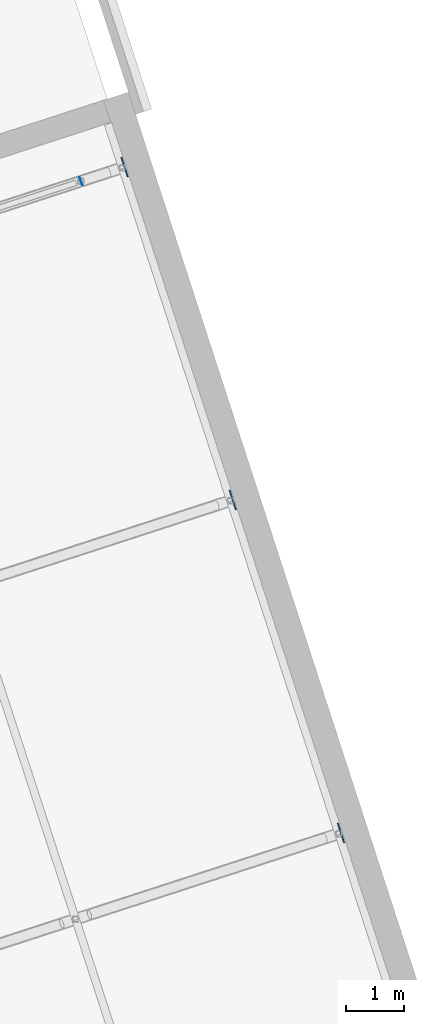
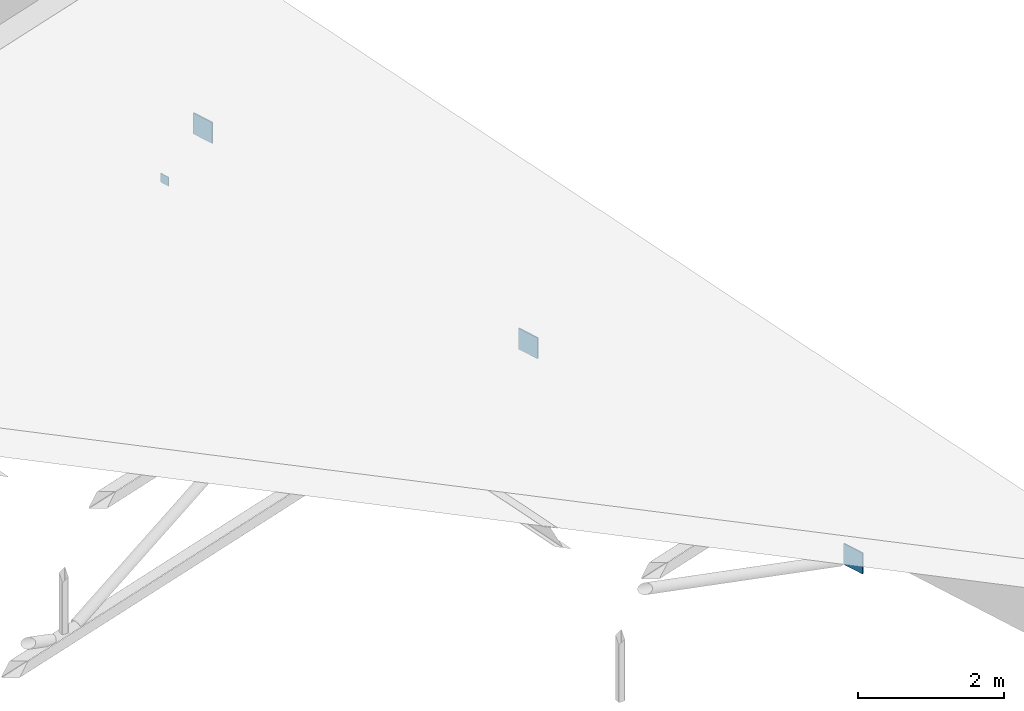
# One storey, part 47 of 55: 4 plates.
"""IFC4 building model written with IfcOpenShell, lengths in metres."""

import ifcopenshell
import ifcopenshell.guid

model = None  # the IFC model being written
_history = None  # IfcOwnerHistory: only IFC2X3 demands one
_inside = {}  # id of a spatial element -> (the spatial element, [elements in it])
_under = {}  # id of a project, library or spatial element -> (it, [spatial elements below it])
_declared = {}  # id of a project -> (the project, [libraries it declares])
_typed = {}  # id of a type object -> (the type object, [elements of that type])
_made_of = {}  # id of a material, layer set ... -> (it, [elements and type objects made of it])


def new_model(schema):
    """Start an empty IFC model of exactly this schema.

    Asked for "IFC4X3", IfcOpenShell would pick the latest addendum, in which some entities
    have other attributes; the version numbers below select the first issue.
    IFC2X3 requires an IfcOwnerHistory on every rooted entity: one is made here for all.
    """
    global model, _history
    if schema == "IFC4X3":
        model = ifcopenshell.file(schema_version=(4, 3, 0, 0))
    else:
        model = ifcopenshell.file(schema=schema)
    _inside.clear()
    _under.clear()
    _declared.clear()
    _typed.clear()
    _made_of.clear()
    _history = None
    if model.schema == "IFC2X3":
        org = make("IfcOrganization", Name="unknown")
        user = make(
            "IfcPersonAndOrganization",
            ThePerson=make("IfcPerson", FamilyName="unknown"),
            TheOrganization=org,
        )
        app = make(
            "IfcApplication",
            ApplicationDeveloper=org,
            Version="unknown",
            ApplicationFullName="unknown",
            ApplicationIdentifier="unknown",
        )
        _history = make(
            "IfcOwnerHistory",
            OwningUser=user,
            OwningApplication=app,
            ChangeAction="ADDED",
            CreationDate=0,
        )
    return model


def make(cls, **values):
    """One entity of the class cls with the attributes given. An attribute that is None is left unset."""
    return model.create_entity(
        cls, **{name: value for name, value in values.items() if value is not None}
    )


def rooted(cls, **values):
    """An entity with a GlobalId (a new one), such as an element, a storey or a relation."""
    return make(cls, GlobalId=ifcopenshell.guid.new(), OwnerHistory=_history, **values)


def si_unit(unit_type, name, prefix=None):
    """IfcSIUnit, for example si_unit("LENGTHUNIT", "METRE", prefix="MILLI")."""
    return make("IfcSIUnit", UnitType=unit_type, Prefix=prefix, Name=name)


def assignment(units):
    """IfcUnitAssignment: the units of a project."""
    return None if units is None else make("IfcUnitAssignment", Units=units)


def point(xyz):
    """IfcCartesianPoint."""
    return None if xyz is None else make("IfcCartesianPoint", Coordinates=xyz)


def direction(xyz):
    """IfcDirection."""
    return None if xyz is None else make("IfcDirection", DirectionRatios=xyz)


def frame(location, z_axis=None, x_axis=None):
    """IfcAxis2Placement3D, a coordinate frame: its origin and axes. An axis left out is left unset."""
    return make(
        "IfcAxis2Placement3D",
        Location=point(location),
        Axis=direction(z_axis),
        RefDirection=direction(x_axis),
    )


def origin():
    """The frame at (0, 0, 0) with its axes left unset."""
    return frame((0.0, 0.0, 0.0))


def place(relative_to, where):
    """IfcLocalPlacement: puts the frame where relative to a parent placement (None: the world)."""
    return make(
        "IfcLocalPlacement", PlacementRelTo=relative_to, RelativePlacement=where
    )


def context(
    kind, dimensions, precision=None, world=None, true_north=None, identifier=None
):
    """IfcGeometricRepresentationContext, for example the 3D "Model" context."""
    return make(
        "IfcGeometricRepresentationContext",
        ContextIdentifier=identifier,
        ContextType=kind,
        CoordinateSpaceDimension=dimensions,
        Precision=precision,
        WorldCoordinateSystem=world,
        TrueNorth=true_north,
    )


def subcontext(parent, identifier, kind, view, scale=None):
    """IfcGeometricRepresentationSubContext, for example "Body" below "Model"."""
    return make(
        "IfcGeometricRepresentationSubContext",
        ContextIdentifier=identifier,
        ContextType=kind,
        ParentContext=parent,
        TargetScale=scale,
        TargetView=view,
    )


def project(units=None, contexts=None):
    """IfcProject with its units and contexts."""
    return rooted(
        "IfcProject",
        Name="project",
        RepresentationContexts=contexts,
        UnitsInContext=assignment(units),
    )


def spatial(cls, under=None, at=None, **own):
    """A site, building, storey or space (cls), placed at a placement, below another one or the project."""
    s = rooted(cls, ObjectPlacement=at, **own)
    if under is not None:
        _under.setdefault(under.id(), (under, []))[1].append(s)
    return s


def polyline(points):
    """IfcPolyline through the points."""
    return make("IfcPolyline", Points=[point(p) for p in points])


def outline(outer, holes=None, kind="AREA"):
    """IfcArbitraryClosedProfileDef: a profile drawn as a closed curve; with holes, ...WithVoids."""
    if holes is None:
        return make("IfcArbitraryClosedProfileDef", ProfileType=kind, OuterCurve=outer)
    return make(
        "IfcArbitraryProfileDefWithVoids",
        ProfileType=kind,
        OuterCurve=outer,
        InnerCurves=holes,
    )


def extrude(swept, where, along, depth):
    """IfcExtrudedAreaSolid: the profile swept, set in the frame where, extruded along a direction by depth."""
    return make(
        "IfcExtrudedAreaSolid",
        SweptArea=swept,
        Position=where,
        ExtrudedDirection=direction(along),
        Depth=depth,
    )


def shape(context_of_items, identifier, shape_type, items):
    """IfcShapeRepresentation: the items that make up one representation, for example the "Body"."""
    return make(
        "IfcShapeRepresentation",
        ContextOfItems=context_of_items,
        RepresentationIdentifier=identifier,
        RepresentationType=shape_type,
        Items=items,
    )


def material(Name=None, Category=None):
    """IfcMaterial."""
    return make("IfcMaterial", Name=Name, Category=Category)


def layer(
    of_material, thickness, ventilated=None, Name=None, Category=None, Priority=None
):
    """IfcMaterialLayer: one layer of a wall or slab, of a material (None: an air gap)."""
    return make(
        "IfcMaterialLayer",
        Material=of_material,
        LayerThickness=thickness,
        IsVentilated=ventilated,
        Name=Name,
        Category=Category,
        Priority=Priority,
    )


def layer_set(layers, Name=None):
    """IfcMaterialLayerSet."""
    return make("IfcMaterialLayerSet", MaterialLayers=layers, LayerSetName=Name)


def made_of(thing, what):
    """Note that an element or type object is made of a material, layer set ...; save() writes the relation."""
    if what is not None:
        _made_of.setdefault(what.id(), (what, []))[1].append(thing)
    return thing


def type_object(cls, material=None, **own):
    """A type object (cls), such as IfcWallType, which elements share."""
    return made_of(rooted(cls, **own), material)


def element(
    cls,
    number,
    at=None,
    inside=None,
    cuts=None,
    type_object=None,
    material=None,
    context=None,
    identifier="Body",
    shape_type=None,
    held_by="IfcProductDefinitionShape",
    body=None,
    shapes=None,
    **own,
):
    """One element of the class cls, such as IfcWall. Its Tag is "e" and its number.

    at: its placement. inside: the storey or other place that contains it. cuts: it is an
    opening in that element (IfcRelVoidsElement). A single representation is given by context,
    identifier, shape_type and body (its items); several are given by shapes. held_by: the class
    of the entity that holds the representations. save() writes the other relations.
    """
    e = rooted(cls, Tag="e%d" % number, ObjectPlacement=at, **own)
    if body is not None:
        shapes = [shape(context, identifier, shape_type, body)]
    if shapes is not None:
        e.Representation = make(held_by, Representations=shapes)
    if inside is not None:
        _inside.setdefault(inside.id(), (inside, []))[1].append(e)
    if cuts is not None:
        rooted(
            "IfcRelVoidsElement", RelatingBuildingElement=cuts, RelatedOpeningElement=e
        )
    if type_object is not None:
        _typed.setdefault(type_object.id(), (type_object, []))[1].append(e)
    return made_of(e, material)


def aggregate(whole, parts):
    """IfcRelAggregates: a whole, such as a stair, and the parts it consists of."""
    return rooted("IfcRelAggregates", RelatingObject=whole, RelatedObjects=parts)


def save(model, path):
    """Write the relations noted so far, then the file.

    IfcRelAggregates (storeys below a building ...), IfcRelContainedInSpatialStructure (elements
    in a storey), IfcRelDefinesByType, IfcRelAssociatesMaterial and IfcRelDeclares: one each for
    every whole, place, type object, material and project.
    """
    for whole, parts in _under.values():
        aggregate(whole, parts)
    for where, things in _inside.values():
        rooted(
            "IfcRelContainedInSpatialStructure",
            RelatedElements=things,
            RelatingStructure=where,
        )
    for kind, things in _typed.values():
        rooted("IfcRelDefinesByType", RelatedObjects=things, RelatingType=kind)
    for what, things in _made_of.values():
        rooted("IfcRelAssociatesMaterial", RelatedObjects=things, RelatingMaterial=what)
    for by, libraries in _declared.values():
        rooted("IfcRelDeclares", RelatingContext=by, RelatedDefinitions=libraries)
    model.write(path)


model = new_model("IFC4")

# Units and contexts
model_context = context("Model", 3, precision=1e-05, world=origin(), true_north=direction((0.0, 1.0)))
body_context = subcontext(model_context, "Body", "Model", "MODEL_VIEW")
ifc_project = project(units=[si_unit("LENGTHUNIT", "METRE"), si_unit("AREAUNIT", "SQUARE_METRE"), si_unit("VOLUMEUNIT", "CUBIC_METRE"), si_unit("PLANEANGLEUNIT", "RADIAN"), si_unit("MASSUNIT", "GRAM", prefix="KILO")], contexts=[model_context])

# Site, building, storey
site_placement = place(None, origin())
site = spatial("IfcSite", under=ifc_project, at=site_placement, CompositionType="ELEMENT")
building_placement = place(site_placement, origin())
building = spatial("IfcBuilding", under=site, at=building_placement, Name="Tuart Plaza Theatre", CompositionType="ELEMENT")
storey_placement = place(building_placement, frame((0.0, 0.0, 21.5)))
storey = spatial("IfcBuildingStorey", under=building, at=storey_placement, Name="L05", CompositionType="ELEMENT", Elevation=21.5)

# Plates
ifc_material_1 = material(Name="Steel Grade 300", Category="steel")
ifc_layer_1 = layer(ifc_material_1, 0.02001953125)
ifc_layer_set_1 = layer_set([ifc_layer_1], Name="PLATE Cast-in 20 Steel Grade 300")
plate_type_1 = type_object("IfcPlateType", Name="PLATE Cast-in 20 Steel Grade 300", PredefinedType="SHEET", material=ifc_layer_set_1)
plate_1_placement = place(storey_placement, frame((72.766357421875, 64.985107421875, -0.053466796875), z_axis=(-0.951095540201, -0.308896865329, 0.0), x_axis=(-0.308896865329, 0.951095540201, 0.0)))
element("IfcPlate", 1, at=plate_1_placement, inside=storey, type_object=plate_type_1, Name="CI6", PredefinedType="SHEET", context=body_context, shape_type="SweptSolid", body=[
    extrude(outline(polyline([(0.0, 0.0), (0.35013076859733533, 0.0), (0.35013076859733533, 0.349853515625), (0.0, 0.349853515625), (0.0, 0.0)])), origin(), (0.0, 0.0, -1.0), 0.02001953125),
])
plate_2_placement = place(storey_placement, frame((70.912353515625, 70.691650390625, 0.73876953125), z_axis=(-0.951028941009, -0.309101849499, 0.0), x_axis=(-0.309101849499, 0.951028941009, 0.0)))
element("IfcPlate", 2, at=plate_2_placement, inside=storey, type_object=plate_type_1, Name="CI8", PredefinedType="SHEET", context=body_context, shape_type="SweptSolid", body=[
    extrude(outline(polyline([(0.0, 0.0), (0.34989857566480365, 0.0), (0.34989857566480365, 0.35009765625), (0.0, 0.35009765625), (0.0, 0.0)])), origin(), (0.0, 0.0, -1.0), 0.02001953125),
])
plate_3_placement = place(storey_placement, frame((69.058349609375, 76.39794921875, 1.53076171875), z_axis=(-0.951028941009, -0.309101849499, 0.0), x_axis=(-0.309101849499, 0.951028941009, 0.0)))
element("IfcPlate", 3, at=plate_3_placement, inside=storey, type_object=plate_type_1, Name="CI10", PredefinedType="SHEET", context=body_context, shape_type="SweptSolid", body=[
    extrude(outline(polyline([(0.0, 0.0), (0.34989857566480365, 0.0), (0.34989857566480365, 0.349853515625), (0.0, 0.349853515625), (0.0, 0.0)])), origin(), (0.0, 0.0, -1.0), 0.02001953125),
])
ifc_material_2 = material(Name="Steel Grade C350L0", Category="steel")
ifc_layer_2 = layer(ifc_material_2, 0.010009765625)
ifc_layer_set_2 = layer_set([ifc_layer_2], Name="PLATE End cap 10 Steel Grade C350L0")
plate_type_2 = type_object("IfcPlateType", Name="PLATE End cap 10 Steel Grade C350L0", PredefinedType="SHEET", material=ifc_layer_set_2)
plate_4_placement = place(storey_placement, frame((68.294921875, 76.255126953125, 0.825927734375), z_axis=(0.951416448013, 0.307907035402, 0.0), x_axis=(-0.307907035402, 0.951416448013, 0.0)))
element("IfcPlate", 4, at=plate_4_placement, inside=storey, type_object=plate_type_2, Name="EP48", PredefinedType="SHEET", context=body_context, shape_type="SweptSolid", body=[
    extrude(outline(polyline([(0.0, 0.0), (0.1498587976881483, 0.0), (0.1498587976881483, 0.14990234375), (0.0, 0.14990234375), (0.0, 0.0)])), origin(), (0.0, 0.0, -1.0), 0.010009765625),
])

save(model, "model.ifc")
